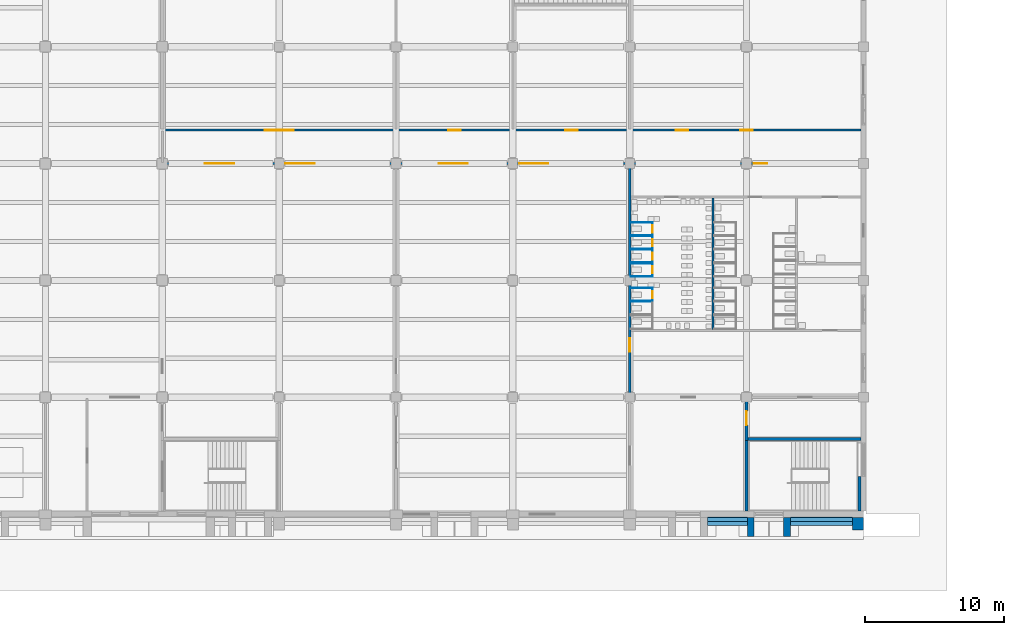
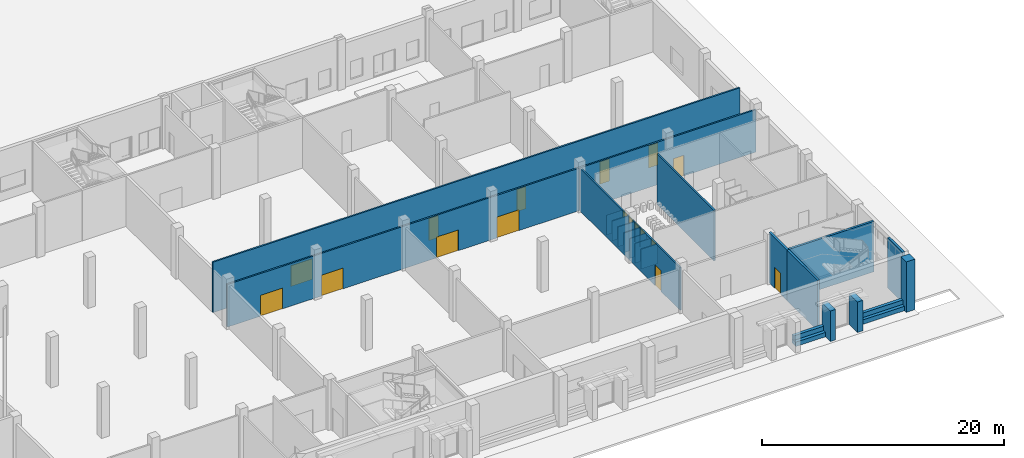
# One storey, part 34 of 74: 31 walls, 17 doors, 17 openings.
"""IFC4 building model written with IfcOpenShell, lengths in metres."""

from ifc_helpers import new_model, si_unit, direction, frame, frame_2d, origin, place, context, subcontext, project, spatial, rectangle, extrude, material, layer, layer_set, type_object, element, fill, save


model = new_model("IFC4")

# Units and contexts
model_context = context("Model", 3, precision=1e-05, world=origin(), true_north=direction((0.0, 1.0)))
body_context = subcontext(model_context, "Body", "Model", "MODEL_VIEW")
ifc_project = project(units=[si_unit("LENGTHUNIT", "METRE"), si_unit("AREAUNIT", "SQUARE_METRE"), si_unit("VOLUMEUNIT", "CUBIC_METRE"), si_unit("PLANEANGLEUNIT", "RADIAN"), si_unit("MASSUNIT", "GRAM", prefix="KILO")], contexts=[model_context])

# Site, building, storey
site_placement = place(None, origin())
site = spatial("IfcSite", under=ifc_project, at=site_placement, CompositionType="ELEMENT")
building_placement = place(site_placement, origin())
building = spatial("IfcBuilding", under=site, at=building_placement, Name="Rulbaag Community and Learning Centre", CompositionType="ELEMENT")
storey_placement = place(building_placement, origin())
storey = spatial("IfcBuildingStorey", under=building, at=storey_placement, Name="L00", CompositionType="ELEMENT", Elevation=0.0)

# Walls
ifc_material_1 = material(Name="High pressure laminate", Category="wood")
ifc_layer_1 = layer(ifc_material_1, 0.0400390625)
ifc_layer_set_1 = layer_set([ifc_layer_1], Name="CP-40")
wall_type_1 = type_object("IfcWallType", Name="CP-40", PredefinedType="PARTITIONING", material=ifc_layer_set_1)
for number, where, z_axis, x_axis, name in (
    (1, (151.27490234375, 15.27001953125, 0.0), (0.0, 0.0, 1.0), (1.0, 0.0, 0.0), "Cubicle partition"),
    (2, (151.27490234375, 15.31005859375, 0.0), (0.0, 0.0, 1.0), (1.0, 0.0, 0.0), "Cubicle partition"),
    (3, (151.27490234375, 16.25, 0.0), (0.0, 0.0, 1.0), (1.0, 0.0, 0.0), "Cubicle partition"),
):
    element("IfcWall", number, at=place(storey_placement, frame(where, z_axis=z_axis, x_axis=x_axis)), inside=storey, type_object=wall_type_1, Name=name, PredefinedType="PARTITIONING", context=body_context, shape_type="SweptSolid", body=[
        extrude(rectangle(XDim=1.59521484375, YDim=0.0400390625, at=frame_2d((0.797607421875, 0.0))), origin(), (0.0, 0.0, 1.0), 2.0),
    ])

# Wall, opening, door
wall_1_placement = place(storey_placement, frame((152.85009765625, 15.330078125, 0.0), z_axis=(0.0, 0.0, 1.0), x_axis=(0.0, 1.0, 0.0)))
wall_1 = element("IfcWall", 4, at=wall_1_placement, inside=storey, type_object=wall_type_1, Name="Cubicle partition", PredefinedType="PARTITIONING", context=body_context, shape_type="SweptSolid", body=[
    extrude(rectangle(XDim=0.89990234375, YDim=0.0400390625, at=frame_2d((0.449951171875, 0.0))), origin(), (0.0, 0.0, 1.0), 2.0),
])
opening_1_placement = place(wall_1_placement, frame((0.050048828125, 0.0, 0.0)))
opening_1 = element("IfcOpeningElement", 5, at=opening_1_placement, cuts=wall_1, Name="Opening L00-D145", PredefinedType="OPENING", context=body_context, shape_type="SweptSolid", body=[
    extrude(rectangle(XDim=0.800048828125, YDim=2.0, at=frame_2d((0.39990234375, 1.0))), frame((0.0, 0.030029296875, 0.0), z_axis=(0.0, -1.0, 0.0), x_axis=(1.0, 0.0, 0.0)), (0.0, 0.0, 1.0), 0.06005859375),
])
door_type_1 = type_object("IfcDoorType", Name="DC-80", OperationType="SINGLE_SWING_LEFT", PredefinedType="DOOR", material=ifc_material_1)
door_1_placement = place(opening_1_placement, origin())
door_1 = element("IfcDoor", 6, at=door_1_placement, inside=storey, type_object=door_type_1, Name="Cubicle door", OperationType="SINGLE_SWING_LEFT", OverallHeight=2.0, OverallWidth=0.800048828125, PredefinedType="DOOR", context=body_context, shape_type="SweptSolid", body=[
    extrude(rectangle(XDim=0.800048828125, YDim=2.0, at=frame_2d((0.39990234375, 1.0))), frame((0.0, 0.019775390625, 0.0), z_axis=(0.0, -1.0, 0.0), x_axis=(1.0, 0.0, 0.0)), (0.0, 0.0, 1.0), 0.03955078125),
])
fill(opening_1, door_1)

# Walls
for number, where, z_axis, x_axis, name in (
    (7, (151.27490234375, 17.090087890625, 0.0), (0.0, 0.0, 1.0), (1.0, 0.0, 0.0), "Cubicle partition"),
    (8, (151.27490234375, 18.030029296875, 0.0), (0.0, 0.0, 1.0), (1.0, 0.0, 0.0), "Cubicle partition"),
):
    element("IfcWall", number, at=place(storey_placement, frame(where, z_axis=z_axis, x_axis=x_axis)), inside=storey, type_object=wall_type_1, Name=name, PredefinedType="PARTITIONING", context=body_context, shape_type="SweptSolid", body=[
        extrude(rectangle(XDim=1.59521484375, YDim=0.0400390625, at=frame_2d((0.797607421875, 0.0))), origin(), (0.0, 0.0, 1.0), 2.0),
    ])

# Wall, opening, door
wall_2_placement = place(storey_placement, frame((152.85009765625, 17.110107421875, 0.0), z_axis=(0.0, 0.0, 1.0), x_axis=(0.0, 1.0, 0.0)))
wall_2 = element("IfcWall", 9, at=wall_2_placement, inside=storey, type_object=wall_type_1, Name="Cubicle partition", PredefinedType="PARTITIONING", context=body_context, shape_type="SweptSolid", body=[
    extrude(rectangle(XDim=0.89990234375, YDim=0.0400390625, at=frame_2d((0.449951171875, 0.0))), origin(), (0.0, 0.0, 1.0), 2.0),
])
opening_2_placement = place(wall_2_placement, frame((0.050048828125, 0.0, 0.0)))
opening_2 = element("IfcOpeningElement", 10, at=opening_2_placement, cuts=wall_2, Name="Opening L00-D146", PredefinedType="OPENING", context=body_context, shape_type="SweptSolid", body=[
    extrude(rectangle(XDim=0.800048828125, YDim=2.0, at=frame_2d((0.39990234375, 1.0))), frame((0.0, 0.030029296875, 0.0), z_axis=(0.0, -1.0, 0.0), x_axis=(1.0, 0.0, 0.0)), (0.0, 0.0, 1.0), 0.06005859375),
])
door_2_placement = place(opening_2_placement, origin())
door_2 = element("IfcDoor", 11, at=door_2_placement, inside=storey, type_object=door_type_1, Name="Cubicle door", OperationType="SINGLE_SWING_LEFT", OverallHeight=2.0, OverallWidth=0.800048828125, PredefinedType="DOOR", context=body_context, shape_type="SweptSolid", body=[
    extrude(rectangle(XDim=0.800048828125, YDim=2.0, at=frame_2d((0.39990234375, 1.0))), frame((0.0, 0.019775390625, 0.0), z_axis=(0.0, -1.0, 0.0), x_axis=(1.0, 0.0, 0.0)), (0.0, 0.0, 1.0), 0.03955078125),
])
fill(opening_2, door_2)

# Walls
for number, where, z_axis, x_axis, name in (
    (12, (151.27490234375, 18.070068359375, 0.0), (0.0, 0.0, 1.0), (1.0, 0.0, 0.0), "Cubicle partition"),
    (13, (151.27490234375, 19.010009765625, 0.0), (0.0, 0.0, 1.0), (1.0, 0.0, 0.0), "Cubicle partition"),
):
    element("IfcWall", number, at=place(storey_placement, frame(where, z_axis=z_axis, x_axis=x_axis)), inside=storey, type_object=wall_type_1, Name=name, PredefinedType="PARTITIONING", context=body_context, shape_type="SweptSolid", body=[
        extrude(rectangle(XDim=1.59521484375, YDim=0.0400390625, at=frame_2d((0.797607421875, 0.0))), origin(), (0.0, 0.0, 1.0), 2.0),
    ])

# Wall, opening, door
wall_3_placement = place(storey_placement, frame((152.85009765625, 18.090087890625, 0.0), z_axis=(0.0, 0.0, 1.0), x_axis=(0.0, 1.0, 0.0)))
wall_3 = element("IfcWall", 14, at=wall_3_placement, inside=storey, type_object=wall_type_1, Name="Cubicle partition", PredefinedType="PARTITIONING", context=body_context, shape_type="SweptSolid", body=[
    extrude(rectangle(XDim=0.89990234375, YDim=0.0400390625, at=frame_2d((0.449951171875, 0.0))), origin(), (0.0, 0.0, 1.0), 2.0),
])
opening_3_placement = place(wall_3_placement, frame((0.050048828125, 0.0, 0.0)))
opening_3 = element("IfcOpeningElement", 15, at=opening_3_placement, cuts=wall_3, Name="Opening L00-D147", PredefinedType="OPENING", context=body_context, shape_type="SweptSolid", body=[
    extrude(rectangle(XDim=0.800048828125, YDim=2.0, at=frame_2d((0.39990234375, 1.0))), frame((0.0, 0.030029296875, 0.0), z_axis=(0.0, -1.0, 0.0), x_axis=(1.0, 0.0, 0.0)), (0.0, 0.0, 1.0), 0.06005859375),
])
door_3_placement = place(opening_3_placement, origin())
door_3 = element("IfcDoor", 16, at=door_3_placement, inside=storey, type_object=door_type_1, Name="Cubicle door", OperationType="SINGLE_SWING_LEFT", OverallHeight=2.0, OverallWidth=0.800048828125, PredefinedType="DOOR", context=body_context, shape_type="SweptSolid", body=[
    extrude(rectangle(XDim=0.800048828125, YDim=2.0, at=frame_2d((0.39990234375, 1.0))), frame((0.0, 0.019775390625, 0.0), z_axis=(0.0, -1.0, 0.0), x_axis=(1.0, 0.0, 0.0)), (0.0, 0.0, 1.0), 0.03955078125),
])
fill(opening_3, door_3)

# Walls
for number, where, z_axis, x_axis, name in (
    (17, (151.27490234375, 19.050048828125, 0.0), (0.0, 0.0, 1.0), (1.0, 0.0, 0.0), "Cubicle partition"),
    (18, (151.27490234375, 19.989990234375, 0.0), (0.0, 0.0, 1.0), (1.0, 0.0, 0.0), "Cubicle partition"),
):
    element("IfcWall", number, at=place(storey_placement, frame(where, z_axis=z_axis, x_axis=x_axis)), inside=storey, type_object=wall_type_1, Name=name, PredefinedType="PARTITIONING", context=body_context, shape_type="SweptSolid", body=[
        extrude(rectangle(XDim=1.59521484375, YDim=0.0400390625, at=frame_2d((0.797607421875, 0.0))), origin(), (0.0, 0.0, 1.0), 2.0),
    ])

# Wall, opening, door
wall_4_placement = place(storey_placement, frame((152.85009765625, 19.070068359375, 0.0), z_axis=(0.0, 0.0, 1.0), x_axis=(0.0, 1.0, 0.0)))
wall_4 = element("IfcWall", 19, at=wall_4_placement, inside=storey, type_object=wall_type_1, Name="Cubicle partition", PredefinedType="PARTITIONING", context=body_context, shape_type="SweptSolid", body=[
    extrude(rectangle(XDim=0.89990234375, YDim=0.0400390625, at=frame_2d((0.449951171875, 0.0))), origin(), (0.0, 0.0, 1.0), 2.0),
])
opening_4_placement = place(wall_4_placement, frame((0.050048828125, 0.0, 0.0)))
opening_4 = element("IfcOpeningElement", 20, at=opening_4_placement, cuts=wall_4, Name="Opening L00-D148", PredefinedType="OPENING", context=body_context, shape_type="SweptSolid", body=[
    extrude(rectangle(XDim=0.800048828125, YDim=2.0, at=frame_2d((0.39990234375, 1.0))), frame((0.0, 0.030029296875, 0.0), z_axis=(0.0, -1.0, 0.0), x_axis=(1.0, 0.0, 0.0)), (0.0, 0.0, 1.0), 0.06005859375),
])
door_4_placement = place(opening_4_placement, origin())
door_4 = element("IfcDoor", 21, at=door_4_placement, inside=storey, type_object=door_type_1, Name="Cubicle door", OperationType="SINGLE_SWING_LEFT", OverallHeight=2.0, OverallWidth=0.800048828125, PredefinedType="DOOR", context=body_context, shape_type="SweptSolid", body=[
    extrude(rectangle(XDim=0.800048828125, YDim=2.0, at=frame_2d((0.39990234375, 1.0))), frame((0.0, 0.019775390625, 0.0), z_axis=(0.0, -1.0, 0.0), x_axis=(1.0, 0.0, 0.0)), (0.0, 0.0, 1.0), 0.03955078125),
])
fill(opening_4, door_4)

# Walls
for number, where, z_axis, x_axis, name in (
    (22, (151.27490234375, 20.030029296875, 0.0), (0.0, 0.0, 1.0), (1.0, 0.0, 0.0), "Cubicle partition"),
    (23, (151.27490234375, 20.969970703125, 0.0), (0.0, 0.0, 1.0), (1.0, 0.0, 0.0), "Cubicle partition"),
):
    element("IfcWall", number, at=place(storey_placement, frame(where, z_axis=z_axis, x_axis=x_axis)), inside=storey, type_object=wall_type_1, Name=name, PredefinedType="PARTITIONING", context=body_context, shape_type="SweptSolid", body=[
        extrude(rectangle(XDim=1.59521484375, YDim=0.0400390625, at=frame_2d((0.797607421875, 0.0))), origin(), (0.0, 0.0, 1.0), 2.0),
    ])

# Wall, opening, door
wall_5_placement = place(storey_placement, frame((152.85009765625, 20.050048828125, 0.0), z_axis=(0.0, 0.0, 1.0), x_axis=(0.0, 1.0, 0.0)))
wall_5 = element("IfcWall", 24, at=wall_5_placement, inside=storey, type_object=wall_type_1, Name="Cubicle partition", PredefinedType="PARTITIONING", context=body_context, shape_type="SweptSolid", body=[
    extrude(rectangle(XDim=0.89990234375, YDim=0.0400390625, at=frame_2d((0.449951171875, 0.0))), origin(), (0.0, 0.0, 1.0), 2.0),
])
opening_5_placement = place(wall_5_placement, frame((0.050048828125, 0.0, 0.0)))
opening_5 = element("IfcOpeningElement", 25, at=opening_5_placement, cuts=wall_5, Name="Opening L00-D149", PredefinedType="OPENING", context=body_context, shape_type="SweptSolid", body=[
    extrude(rectangle(XDim=0.800048828125, YDim=2.0, at=frame_2d((0.39990234375, 1.0))), frame((0.0, 0.030029296875, 0.0), z_axis=(0.0, -1.0, 0.0), x_axis=(1.0, 0.0, 0.0)), (0.0, 0.0, 1.0), 0.06005859375),
])
door_5_placement = place(opening_5_placement, origin())
door_5 = element("IfcDoor", 26, at=door_5_placement, inside=storey, type_object=door_type_1, Name="Cubicle door", OperationType="SINGLE_SWING_LEFT", OverallHeight=2.0, OverallWidth=0.800048828125, PredefinedType="DOOR", context=body_context, shape_type="SweptSolid", body=[
    extrude(rectangle(XDim=0.800048828125, YDim=2.0, at=frame_2d((0.39990234375, 1.0))), frame((0.0, 0.019775390625, 0.0), z_axis=(0.0, -1.0, 0.0), x_axis=(1.0, 0.0, 0.0)), (0.0, 0.0, 1.0), 0.03955078125),
])
fill(opening_5, door_5)

# Walls
ifc_material_2 = material(Name="Concrete M40", Category="concrete")
ifc_layer_2 = layer(ifc_material_2, 0.800048828125)
ifc_layer_set_2 = layer_set([ifc_layer_2], Name="EW-BTR")
wall_type_2 = type_object("IfcWallType", Name="EW-BTR", PredefinedType="SOLIDWALL", material=ifc_layer_set_2)
wall_6_placement = place(storey_placement, frame((167.60009765625, -0.22509765625, 0.0), z_axis=(0.0, 0.0, 1.0), x_axis=(0.0, -1.0, 0.0)))
element("IfcWall", 27, at=wall_6_placement, inside=storey, type_object=wall_type_2, Name="Buttress pier", PredefinedType="SOLIDWALL", context=body_context, shape_type="SweptSolid", body=[
    extrude(rectangle(XDim=0.89990234375, YDim=0.800048828125, at=frame_2d((0.449951171875, 0.0))), origin(), (0.0, 0.0, 1.0), 5.10009765625),
])
ifc_layer_3 = layer(ifc_material_2, 0.5)
ifc_layer_set_3 = layer_set([ifc_layer_3], Name="EW-PJB5")
wall_type_3 = type_object("IfcWallType", Name="EW-PJB5", PredefinedType="SOLIDWALL", material=ifc_layer_set_3)
for number, where, z_axis, x_axis, name in (
    (28, (159.89990234375, -0.22509765625, 0.0), (0.0, 0.0, 1.0), (0.0, -1.0, 0.0), "Portal jamb"),
    (29, (162.5, -0.22509765625, 0.0), (0.0, 0.0, 1.0), (0.0, -1.0, 0.0), "Portal jamb"),
):
    element("IfcWall", number, at=place(storey_placement, frame(where, z_axis=z_axis, x_axis=x_axis)), inside=storey, type_object=wall_type_3, Name=name, PredefinedType="SOLIDWALL", context=body_context, shape_type="SweptSolid", body=[
        extrude(rectangle(XDim=1.39990234375, YDim=0.5, at=frame_2d((0.699951171875, 0.0))), origin(), (0.0, 0.0, 1.0), 3.080078125),
    ])
ifc_layer_4 = layer(ifc_material_2, 0.60009765625)
ifc_layer_set_4 = layer_set([ifc_layer_4], Name="EW-PLN1")
wall_type_4 = type_object("IfcWallType", Name="EW-PLN1", PredefinedType="SOLIDWALL", material=ifc_layer_set_4)
wall_7_placement = place(storey_placement, frame((156.800048828125, -0.52490234375, 0.0), z_axis=(0.0, 0.0, 1.0), x_axis=(1.0, 0.0, 0.0)))
element("IfcWall", 30, at=wall_7_placement, inside=storey, type_object=wall_type_4, Name="Battered plinth", PredefinedType="SOLIDWALL", context=body_context, shape_type="SweptSolid", body=[
    extrude(rectangle(XDim=2.849853515625, YDim=0.60009765625, at=frame_2d((1.4248046875, 0.0))), origin(), (0.0, 0.0, 1.0), 0.449951171875),
])
wall_8_placement = place(storey_placement, frame((162.75, -0.52490234375, 0.0), z_axis=(0.0, 0.0, 1.0), x_axis=(1.0, 0.0, 0.0)))
element("IfcWall", 31, at=wall_8_placement, inside=storey, type_object=wall_type_4, Name="Battered plinth", PredefinedType="SOLIDWALL", context=body_context, shape_type="SweptSolid", body=[
    extrude(rectangle(XDim=4.449951171875, YDim=0.60009765625, at=frame_2d((2.22509765625, 0.0))), origin(), (0.0, 0.0, 1.0), 0.449951171875),
])
ifc_layer_5 = layer(ifc_material_2, 0.300048828125)
ifc_layer_set_5 = layer_set([ifc_layer_5], Name="EW-PLN2")
wall_type_5 = type_object("IfcWallType", Name="EW-PLN2", PredefinedType="SOLIDWALL", material=ifc_layer_set_5)
wall_9_placement = place(storey_placement, frame((156.800048828125, -0.375, 0.449951171875), z_axis=(0.0, 0.0, 1.0), x_axis=(1.0, 0.0, 0.0)))
element("IfcWall", 32, at=wall_9_placement, inside=storey, type_object=wall_type_5, Name="Battered plinth", PredefinedType="SOLIDWALL", context=body_context, shape_type="SweptSolid", body=[
    extrude(rectangle(XDim=2.849853515625, YDim=0.300048828125, at=frame_2d((1.4248046875, 0.0))), origin(), (0.0, 0.0, 1.0), 0.449951171875),
])
wall_10_placement = place(storey_placement, frame((162.75, -0.375, 0.449951171875), z_axis=(0.0, 0.0, 1.0), x_axis=(1.0, 0.0, 0.0)))
element("IfcWall", 33, at=wall_10_placement, inside=storey, type_object=wall_type_5, Name="Battered plinth", PredefinedType="SOLIDWALL", context=body_context, shape_type="SweptSolid", body=[
    extrude(rectangle(XDim=4.449951171875, YDim=0.300048828125, at=frame_2d((2.22509765625, 0.0))), origin(), (0.0, 0.0, 1.0), 0.449951171875),
])

# Wall, opening, door
ifc_material_3 = material(Name="Concrete blockwork", Category="masonry")
ifc_layer_6 = layer(ifc_material_3, 0.199951171875)
ifc_layer_set_6 = layer_set([ifc_layer_6], Name="FW-200 FIRE WALL 200")
wall_type_6 = type_object("IfcWallType", Name="FW-200 FIRE WALL 200", PredefinedType="SOLIDWALL", material=ifc_layer_set_6)
wall_11_placement = place(storey_placement, frame((159.60009765625, 5.300048828125, 0.0), z_axis=(0.0, 0.0, 1.0), x_axis=(0.0, 1.0, 0.0)))
wall_11 = element("IfcWall", 34, at=wall_11_placement, inside=storey, type_object=wall_type_6, Name="Fire wall L00 108", PredefinedType="SOLIDWALL", context=body_context, shape_type="SweptSolid", body=[
    extrude(rectangle(XDim=3.0, YDim=0.199951171875, at=frame_2d((1.5, 0.0))), origin(), (0.0, 0.0, 1.0), 5.10009765625),
])
opening_6_placement = place(wall_11_placement, frame((1.10009765625, 0.0, 0.0)))
opening_6 = element("IfcOpeningElement", 35, at=opening_6_placement, cuts=wall_11, Name="Opening L00-D170", PredefinedType="OPENING", context=body_context, shape_type="SweptSolid", body=[
    extrude(rectangle(XDim=1.0, YDim=2.10009765625, at=frame_2d((0.5, 1.050048828125))), frame((0.0, 0.10986328125, 0.0), z_axis=(0.0, -1.0, 0.0), x_axis=(1.0, 0.0, 0.0)), (0.0, 0.0, 1.0), 0.219970703125),
])
ifc_material_4 = material(Name="Galvanised steel", Category="steel")
door_type_2 = type_object("IfcDoorType", Name="FD-1000 FIRE DOOR 1000 x 2100", OperationType="SINGLE_SWING_LEFT", PredefinedType="DOOR", material=ifc_material_4)
door_6_placement = place(opening_6_placement, origin())
door_6 = element("IfcDoor", 36, at=door_6_placement, inside=storey, type_object=door_type_2, Name="Door L00-D170", OperationType="SINGLE_SWING_LEFT", OverallHeight=2.10009765625, OverallWidth=1.0, PredefinedType="DOOR", context=body_context, shape_type="SweptSolid", body=[
    extrude(rectangle(XDim=1.0, YDim=2.10009765625, at=frame_2d((0.5, 1.050048828125))), frame((0.0, 0.02490234375, 0.0), z_axis=(0.0, -1.0, 0.0), x_axis=(1.0, 0.0, 0.0)), (0.0, 0.0, 1.0), 0.050048828125),
])
fill(opening_6, door_6)

# Wall, openings, doors
ifc_layer_7 = layer(ifc_material_3, 0.14990234375)
ifc_layer_set_7 = layer_set([ifc_layer_7], Name="IP-150 PARTITION 150")
wall_type_7 = type_object("IfcWallType", Name="IP-150 PARTITION 150", PredefinedType="PARTITIONING", material=ifc_layer_set_7)
wall_12_placement = place(storey_placement, frame((117.47509765625, 25.199951171875, 0.0), z_axis=(0.0, 0.0, 1.0), x_axis=(1.0, 0.0, 0.0)))
wall_12 = element("IfcWall", 37, at=wall_12_placement, inside=storey, type_object=wall_type_7, Name="Partition L00 20", PredefinedType="PARTITIONING", context=body_context, shape_type="SweptSolid", body=[
    extrude(rectangle(XDim=50.52490234375, YDim=0.14990234375, at=frame_2d((25.262451171875, 0.0))), origin(), (0.0, 0.0, 1.0), 4.300048828125),
])
opening_7_placement = place(wall_12_placement, frame((8.97509765625, 0.0, 0.0)))
opening_7 = element("IfcOpeningElement", 38, at=opening_7_placement, cuts=wall_12, Name="Opening L00-D115", PredefinedType="OPENING", context=body_context, shape_type="SweptSolid", body=[
    extrude(rectangle(XDim=2.10009765625, YDim=2.10009765625, at=frame_2d((1.050048828125, 1.050048828125))), frame((0.0, 0.0849609375, 0.0), z_axis=(0.0, -1.0, 0.0), x_axis=(1.0, 0.0, 0.0)), (0.0, 0.0, 1.0), 0.169921875),
])
opening_8_placement = place(wall_12_placement, frame((3.18505859375, 0.0, 0.0)))
opening_8 = element("IfcOpeningElement", 39, at=opening_8_placement, cuts=wall_12, Name="Opening L00-D107", PredefinedType="OPENING", context=body_context, shape_type="SweptSolid", body=[
    extrude(rectangle(XDim=2.10009765625, YDim=2.10009765625, at=frame_2d((1.050048828125, 1.050048828125))), frame((0.0, 0.0849609375, 0.0), z_axis=(0.0, -1.0, 0.0), x_axis=(1.0, 0.0, 0.0)), (0.0, 0.0, 1.0), 0.169921875),
])
opening_9_placement = place(wall_12_placement, frame((25.77490234375, 0.0, 0.0)))
opening_9 = element("IfcOpeningElement", 40, at=opening_9_placement, cuts=wall_12, Name="Opening L00-D127", PredefinedType="OPENING", context=body_context, shape_type="SweptSolid", body=[
    extrude(rectangle(XDim=2.10009765625, YDim=2.10009765625, at=frame_2d((1.050048828125, 1.050048828125))), frame((0.0, 0.0849609375, 0.0), z_axis=(0.0, -1.0, 0.0), x_axis=(1.0, 0.0, 0.0)), (0.0, 0.0, 1.0), 0.169921875),
])
opening_10_placement = place(wall_12_placement, frame((19.985107421875, 0.0, 0.0)))
opening_10 = element("IfcOpeningElement", 41, at=opening_10_placement, cuts=wall_12, Name="Opening L00-D121", PredefinedType="OPENING", context=body_context, shape_type="SweptSolid", body=[
    extrude(rectangle(XDim=2.10009765625, YDim=2.10009765625, at=frame_2d((1.050048828125, 1.050048828125))), frame((0.0, 0.0849609375, 0.0), z_axis=(0.0, -1.0, 0.0), x_axis=(1.0, 0.0, 0.0)), (0.0, 0.0, 1.0), 0.169921875),
])
opening_11_placement = place(wall_12_placement, frame((42.625, 0.0, 0.0)))
opening_11 = element("IfcOpeningElement", 42, at=opening_11_placement, cuts=wall_12, Name="Opening L00-D173", PredefinedType="OPENING", context=body_context, shape_type="SweptSolid", body=[
    extrude(rectangle(XDim=1.0, YDim=2.10009765625, at=frame_2d((0.5, 1.050048828125))), frame((0.0, 0.0849609375, 0.0), z_axis=(0.0, -1.0, 0.0), x_axis=(1.0, 0.0, 0.0)), (0.0, 0.0, 1.0), 0.169921875),
])
ifc_material_5 = material(Name="Timber", Category="wood")
door_type_3 = type_object("IfcDoorType", Name="D-1000 DOOR 1000 x 2100", OperationType="SINGLE_SWING_LEFT", PredefinedType="DOOR", material=ifc_material_5)
door_7_placement = place(opening_11_placement, origin())
door_7 = element("IfcDoor", 43, at=door_7_placement, inside=storey, type_object=door_type_3, Name="Door L00-D173", OperationType="SINGLE_SWING_LEFT", OverallHeight=2.10009765625, OverallWidth=1.0, PredefinedType="DOOR", context=body_context, shape_type="SweptSolid", body=[
    extrude(rectangle(XDim=1.0, YDim=2.10009765625, at=frame_2d((0.5, 1.050048828125))), frame((0.0, 0.02490234375, 0.0), z_axis=(0.0, -1.0, 0.0), x_axis=(1.0, 0.0, 0.0)), (0.0, 0.0, 1.0), 0.050048828125),
])
fill(opening_11, door_7)
door_type_4 = type_object("IfcDoorType", Name="D-2100 DOUBLE DOOR 2100 x 2100", OperationType="DOUBLE_DOOR_SINGLE_SWING", PredefinedType="DOOR", material=ifc_material_5)
door_8_placement = place(opening_7_placement, origin())
door_8 = element("IfcDoor", 44, at=door_8_placement, inside=storey, type_object=door_type_4, Name="Door L00-D115", OperationType="DOUBLE_DOOR_SINGLE_SWING", OverallHeight=2.10009765625, OverallWidth=2.10009765625, PredefinedType="DOOR", context=body_context, shape_type="SweptSolid", body=[
    extrude(rectangle(XDim=2.10009765625, YDim=2.10009765625, at=frame_2d((1.050048828125, 1.050048828125))), frame((0.0, 0.02490234375, 0.0), z_axis=(0.0, -1.0, 0.0), x_axis=(1.0, 0.0, 0.0)), (0.0, 0.0, 1.0), 0.050048828125),
])
fill(opening_7, door_8)
door_9_placement = place(opening_8_placement, origin())
door_9 = element("IfcDoor", 45, at=door_9_placement, inside=storey, type_object=door_type_4, Name="Door L00-D107", OperationType="DOUBLE_DOOR_SINGLE_SWING", OverallHeight=2.10009765625, OverallWidth=2.10009765625, PredefinedType="DOOR", context=body_context, shape_type="SweptSolid", body=[
    extrude(rectangle(XDim=2.10009765625, YDim=2.10009765625, at=frame_2d((1.050048828125, 1.050048828125))), frame((0.0, 0.02490234375, 0.0), z_axis=(0.0, -1.0, 0.0), x_axis=(1.0, 0.0, 0.0)), (0.0, 0.0, 1.0), 0.050048828125),
])
fill(opening_8, door_9)
door_10_placement = place(opening_9_placement, origin())
door_10 = element("IfcDoor", 46, at=door_10_placement, inside=storey, type_object=door_type_4, Name="Door L00-D127", OperationType="DOUBLE_DOOR_SINGLE_SWING", OverallHeight=2.10009765625, OverallWidth=2.10009765625, PredefinedType="DOOR", context=body_context, shape_type="SweptSolid", body=[
    extrude(rectangle(XDim=2.10009765625, YDim=2.10009765625, at=frame_2d((1.050048828125, 1.050048828125))), frame((0.0, 0.02490234375, 0.0), z_axis=(0.0, -1.0, 0.0), x_axis=(1.0, 0.0, 0.0)), (0.0, 0.0, 1.0), 0.050048828125),
])
fill(opening_9, door_10)
door_11_placement = place(opening_10_placement, origin())
door_11 = element("IfcDoor", 47, at=door_11_placement, inside=storey, type_object=door_type_4, Name="Door L00-D121", OperationType="DOUBLE_DOOR_SINGLE_SWING", OverallHeight=2.10009765625, OverallWidth=2.10009765625, PredefinedType="DOOR", context=body_context, shape_type="SweptSolid", body=[
    extrude(rectangle(XDim=2.10009765625, YDim=2.10009765625, at=frame_2d((1.050048828125, 1.050048828125))), frame((0.0, 0.02490234375, 0.0), z_axis=(0.0, -1.0, 0.0), x_axis=(1.0, 0.0, 0.0)), (0.0, 0.0, 1.0), 0.050048828125),
])
fill(opening_10, door_11)

wall_13_placement = place(storey_placement, frame((117.47509765625, 27.60009765625, 0.0), z_axis=(0.0, 0.0, 1.0), x_axis=(1.0, 0.0, 0.0)))
wall_13 = element("IfcWall", 48, at=wall_13_placement, inside=storey, type_object=wall_type_7, Name="Partition L00 21", PredefinedType="PARTITIONING", context=body_context, shape_type="SweptSolid", body=[
    extrude(rectangle(XDim=50.349853515625, YDim=0.14990234375, at=frame_2d((25.1748046875, 0.0))), origin(), (0.0, 0.0, 1.0), 5.10009765625),
])
opening_12_placement = place(wall_13_placement, frame((7.47509765625, 0.0, 0.0)))
opening_12 = element("IfcOpeningElement", 49, at=opening_12_placement, cuts=wall_13, Name="Opening L00-D112", PredefinedType="OPENING", context=body_context, shape_type="SweptSolid", body=[
    extrude(rectangle(XDim=2.10009765625, YDim=2.10009765625, at=frame_2d((1.050048828125, 1.050048828125))), frame((0.0, 0.0849609375, 0.0), z_axis=(0.0, -1.0, 0.0), x_axis=(1.0, 0.0, 0.0)), (0.0, 0.0, 1.0), 0.169921875),
])
opening_13_placement = place(wall_13_placement, frame((20.675048828125, 0.0, 0.0)))
opening_13 = element("IfcOpeningElement", 50, at=opening_13_placement, cuts=wall_13, Name="Opening L00-D123", PredefinedType="OPENING", context=body_context, shape_type="SweptSolid", body=[
    extrude(rectangle(XDim=0.89990234375, YDim=2.25, at=frame_2d((0.449951171875, 1.125))), frame((0.0, 0.0849609375, 0.0), z_axis=(0.0, -1.0, 0.0), x_axis=(1.0, 0.0, 0.0)), (0.0, 0.0, 1.0), 0.169921875),
])
opening_14_placement = place(wall_13_placement, frame((29.074951171875, 0.0, 0.0)))
opening_14 = element("IfcOpeningElement", 51, at=opening_14_placement, cuts=wall_13, Name="Opening L00-D132", PredefinedType="OPENING", context=body_context, shape_type="SweptSolid", body=[
    extrude(rectangle(XDim=0.89990234375, YDim=2.25, at=frame_2d((0.449951171875, 1.125))), frame((0.0, 0.0849609375, 0.0), z_axis=(0.0, -1.0, 0.0), x_axis=(1.0, 0.0, 0.0)), (0.0, 0.0, 1.0), 0.169921875),
])
opening_15_placement = place(wall_13_placement, frame((41.675048828125, 0.0, 0.0)))
opening_15 = element("IfcOpeningElement", 52, at=opening_15_placement, cuts=wall_13, Name="Opening L00-D171", PredefinedType="OPENING", context=body_context, shape_type="SweptSolid", body=[
    extrude(rectangle(XDim=0.89990234375, YDim=2.25, at=frame_2d((0.449951171875, 1.125))), frame((0.0, 0.0849609375, 0.0), z_axis=(0.0, -1.0, 0.0), x_axis=(1.0, 0.0, 0.0)), (0.0, 0.0, 1.0), 0.169921875),
])
opening_16_placement = place(wall_13_placement, frame((37.02490234375, 0.0, 0.0)))
opening_16 = element("IfcOpeningElement", 53, at=opening_16_placement, cuts=wall_13, Name="Opening L00-D153", PredefinedType="OPENING", context=body_context, shape_type="SweptSolid", body=[
    extrude(rectangle(XDim=0.89990234375, YDim=2.25, at=frame_2d((0.449951171875, 1.125))), frame((0.0, 0.0849609375, 0.0), z_axis=(0.0, -1.0, 0.0), x_axis=(1.0, 0.0, 0.0)), (0.0, 0.0, 1.0), 0.169921875),
])
door_12_placement = place(opening_12_placement, origin())
door_12 = element("IfcDoor", 54, at=door_12_placement, inside=storey, type_object=door_type_4, Name="Door L00-D112", OperationType="DOUBLE_DOOR_SINGLE_SWING", OverallHeight=2.10009765625, OverallWidth=2.10009765625, PredefinedType="DOOR", context=body_context, shape_type="SweptSolid", body=[
    extrude(rectangle(XDim=2.10009765625, YDim=2.10009765625, at=frame_2d((1.050048828125, 1.050048828125))), frame((0.0, 0.02490234375, 0.0), z_axis=(0.0, -1.0, 0.0), x_axis=(1.0, 0.0, 0.0)), (0.0, 0.0, 1.0), 0.050048828125),
])
fill(opening_12, door_12)
door_type_5 = type_object("IfcDoorType", Name="D-900 NURSERY GLAZED DOOR 900 x 2250", OperationType="SINGLE_SWING_LEFT", PredefinedType="DOOR", material=ifc_material_5)
door_13_placement = place(opening_13_placement, origin())
door_13 = element("IfcDoor", 55, at=door_13_placement, inside=storey, type_object=door_type_5, Name="Door L00-D123", OperationType="SINGLE_SWING_RIGHT", OverallHeight=2.25, OverallWidth=0.89990234375, PredefinedType="DOOR", context=body_context, shape_type="SweptSolid", body=[
    extrude(rectangle(XDim=0.89990234375, YDim=2.25, at=frame_2d((0.449951171875, 1.125))), frame((0.0, 0.02490234375, 0.0), z_axis=(0.0, -1.0, 0.0), x_axis=(1.0, 0.0, 0.0)), (0.0, 0.0, 1.0), 0.050048828125),
])
fill(opening_13, door_13)
door_14_placement = place(opening_14_placement, origin())
door_14 = element("IfcDoor", 56, at=door_14_placement, inside=storey, type_object=door_type_5, Name="Door L00-D132", OperationType="SINGLE_SWING_LEFT", OverallHeight=2.25, OverallWidth=0.89990234375, PredefinedType="DOOR", context=body_context, shape_type="SweptSolid", body=[
    extrude(rectangle(XDim=0.89990234375, YDim=2.25, at=frame_2d((0.449951171875, 1.125))), frame((0.0, 0.02490234375, 0.0), z_axis=(0.0, -1.0, 0.0), x_axis=(1.0, 0.0, 0.0)), (0.0, 0.0, 1.0), 0.050048828125),
])
fill(opening_14, door_14)
door_15_placement = place(opening_15_placement, origin())
door_15 = element("IfcDoor", 57, at=door_15_placement, inside=storey, type_object=door_type_5, Name="Door L00-D171", OperationType="SINGLE_SWING_RIGHT", OverallHeight=2.25, OverallWidth=0.89990234375, PredefinedType="DOOR", context=body_context, shape_type="SweptSolid", body=[
    extrude(rectangle(XDim=0.89990234375, YDim=2.25, at=frame_2d((0.449951171875, 1.125))), frame((0.0, 0.02490234375, 0.0), z_axis=(0.0, -1.0, 0.0), x_axis=(1.0, 0.0, 0.0)), (0.0, 0.0, 1.0), 0.050048828125),
])
fill(opening_15, door_15)
door_16_placement = place(opening_16_placement, origin())
door_16 = element("IfcDoor", 58, at=door_16_placement, inside=storey, type_object=door_type_5, Name="Door L00-D153", OperationType="SINGLE_SWING_RIGHT", OverallHeight=2.25, OverallWidth=0.89990234375, PredefinedType="DOOR", context=body_context, shape_type="SweptSolid", body=[
    extrude(rectangle(XDim=0.89990234375, YDim=2.25, at=frame_2d((0.449951171875, 1.125))), frame((0.0, 0.02490234375, 0.0), z_axis=(0.0, -1.0, 0.0), x_axis=(1.0, 0.0, 0.0)), (0.0, 0.0, 1.0), 0.050048828125),
])
fill(opening_16, door_16)

# Wall, opening, door
wall_14_placement = place(storey_placement, frame((151.199951171875, 8.5, 0.0), z_axis=(0.0, 0.0, 1.0), x_axis=(0.0, 1.0, 0.0)))
wall_14 = element("IfcWall", 59, at=wall_14_placement, inside=storey, type_object=wall_type_7, Name="Partition L00 103", PredefinedType="PARTITIONING", context=body_context, shape_type="SweptSolid", body=[
    extrude(rectangle(XDim=16.625, YDim=0.14990234375, at=frame_2d((8.3125, 0.0))), origin(), (0.0, 0.0, 1.0), 4.300048828125),
])
opening_17_placement = place(wall_14_placement, frame((3.159912109375, 0.0, 0.0)))
opening_17 = element("IfcOpeningElement", 60, at=opening_17_placement, cuts=wall_14, Name="Opening L00-D142", PredefinedType="OPENING", context=body_context, shape_type="SweptSolid", body=[
    extrude(rectangle(XDim=1.0, YDim=2.10009765625, at=frame_2d((0.5, 1.050048828125))), frame((0.0, 0.0849609375, 0.0), z_axis=(0.0, -1.0, 0.0), x_axis=(1.0, 0.0, 0.0)), (0.0, 0.0, 1.0), 0.169921875),
])
door_17_placement = place(opening_17_placement, origin())
door_17 = element("IfcDoor", 61, at=door_17_placement, inside=storey, type_object=door_type_3, Name="Door L00-D142", OperationType="SINGLE_SWING_LEFT", OverallHeight=2.10009765625, OverallWidth=1.0, PredefinedType="DOOR", context=body_context, shape_type="SweptSolid", body=[
    extrude(rectangle(XDim=1.0, YDim=2.10009765625, at=frame_2d((0.5, 1.050048828125))), frame((0.0, 0.02490234375, 0.0), z_axis=(0.0, -1.0, 0.0), x_axis=(1.0, 0.0, 0.0)), (0.0, 0.0, 1.0), 0.050048828125),
])
fill(opening_17, door_17)

# Walls
wall_15_placement = place(storey_placement, frame((157.199951171875, 13.27490234375, 0.0), z_axis=(0.0, 0.0, 1.0), x_axis=(0.0, 1.0, 0.0)))
element("IfcWall", 62, at=wall_15_placement, inside=storey, type_object=wall_type_7, Name="Partition L00 106", PredefinedType="PARTITIONING", context=body_context, shape_type="SweptSolid", body=[
    extrude(rectangle(XDim=9.4501953125, YDim=0.14990234375, at=frame_2d((4.72509765625, 0.0))), origin(), (0.0, 0.0, 1.0), 5.10009765625),
])
ifc_layer_8 = layer(ifc_material_2, 0.199951171875)
ifc_layer_set_8 = layer_set([ifc_layer_8], Name="WSE Stair enclosure wall 200 Concrete M40")
wall_type_8 = type_object("IfcWallType", Name="WSE Stair enclosure wall 200 Concrete M40", PredefinedType="SHEAR", material=ifc_layer_set_8)
wall_16_placement = place(storey_placement, frame((159.5, 5.39990234375, 0.0), z_axis=(0.0, 0.0, 1.0), x_axis=(1.0, 0.0, 0.0)))
element("IfcWall", 63, at=wall_16_placement, inside=storey, type_object=wall_type_8, Name="Stair enclosure wall SH10 N L00", PredefinedType="SHEAR", context=body_context, shape_type="SweptSolid", body=[
    extrude(rectangle(XDim=8.324951171875, YDim=0.199951171875, at=frame_2d((4.16259765625, 0.0))), origin(), (0.0, 0.0, 1.0), 5.10009765625),
])
wall_17_placement = place(storey_placement, frame((159.60009765625, 0.22509765625, 0.0), z_axis=(0.0, 0.0, 1.0), x_axis=(0.0, 1.0, 0.0)))
element("IfcWall", 64, at=wall_17_placement, inside=storey, type_object=wall_type_8, Name="Stair enclosure wall SH10 W L00", PredefinedType="SHEAR", context=body_context, shape_type="SweptSolid", body=[
    extrude(rectangle(XDim=5.074951171875, YDim=0.199951171875, at=frame_2d((2.53759765625, 0.0))), origin(), (0.0, 0.0, 1.0), 5.10009765625),
])
wall_18_placement = place(storey_placement, frame((167.72509765625, 0.22509765625, 0.0), z_axis=(0.0, 0.0, 1.0), x_axis=(0.0, 1.0, 0.0)))
element("IfcWall", 65, at=wall_18_placement, inside=storey, type_object=wall_type_8, Name="Stair enclosure wall SH10 E L00", PredefinedType="SHEAR", context=body_context, shape_type="SweptSolid", body=[
    extrude(rectangle(XDim=2.474853515625, YDim=0.199951171875, at=frame_2d((1.2373046875, 0.0))), origin(), (0.0, 0.0, 1.0), 5.10009765625),
])

save(model, "model.ifc")
